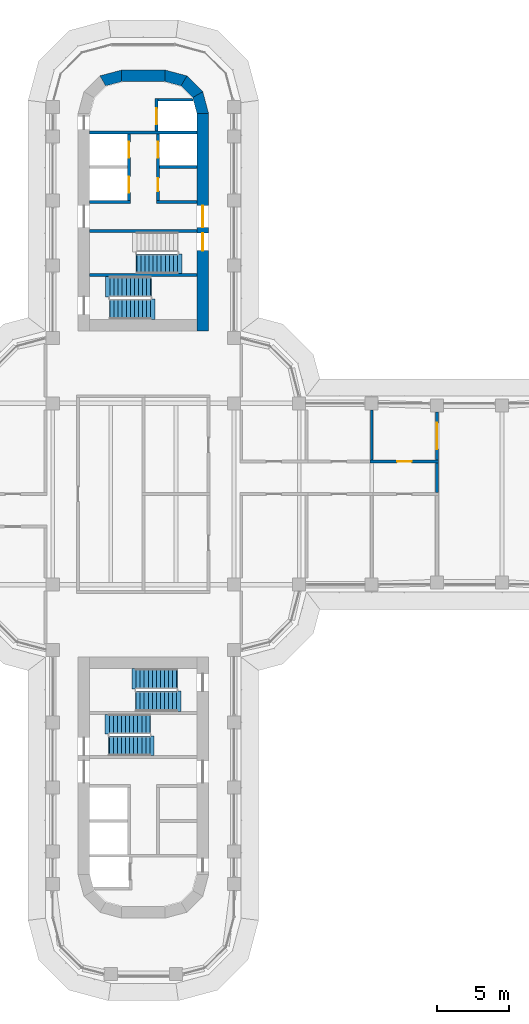
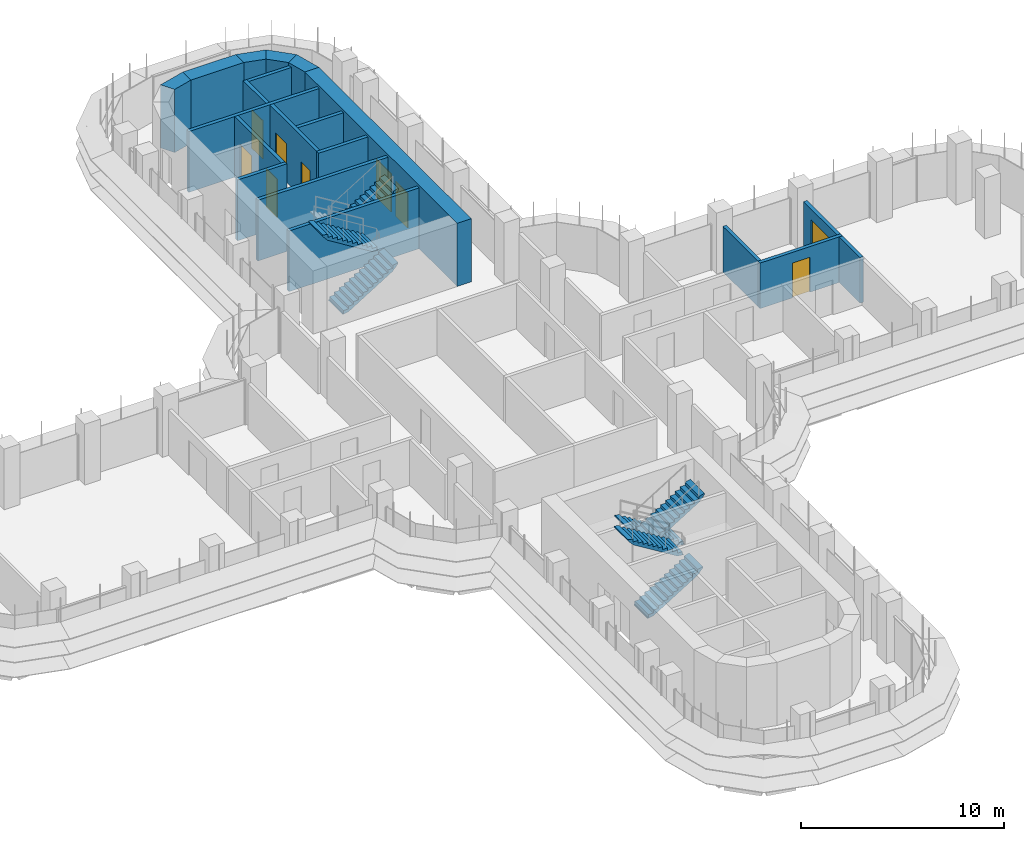
# One storey, part 17 of 22: 20 walls, 9 doors, 7 stair flights, 9 openings, 4 elements without a shape of their own.
"""IFC4 building model written with IfcOpenShell, lengths in metres."""

from ifc_helpers import new_model, si_unit, direction, frame, frame_2d, origin, place, context, subcontext, project, spatial, polyline, rectangle, outline, extrude, material, layer, layer_set, type_object, element, fill, aggregate, save


model = new_model("IFC4")

# Units and contexts
model_context = context("Model", 3, precision=1e-05, world=origin(), true_north=direction((0.0, 1.0)))
body_context = subcontext(model_context, "Body", "Model", "MODEL_VIEW")
ifc_project = project(units=[si_unit("LENGTHUNIT", "METRE"), si_unit("AREAUNIT", "SQUARE_METRE"), si_unit("VOLUMEUNIT", "CUBIC_METRE"), si_unit("PLANEANGLEUNIT", "RADIAN"), si_unit("MASSUNIT", "GRAM", prefix="KILO")], contexts=[model_context])

# Site, building, storey
site_placement = place(None, origin())
site = spatial("IfcSite", under=ifc_project, at=site_placement, CompositionType="ELEMENT")
building_placement = place(site_placement, origin())
building = spatial("IfcBuilding", under=site, at=building_placement, Name="Zarbagh Exchange Tower", CompositionType="ELEMENT")
storey_placement = place(building_placement, frame((0.0, 0.0, 132.199951171875)))
storey = spatial("IfcBuildingStorey", under=building, at=storey_placement, Name="L31", CompositionType="ELEMENT", Elevation=132.199951171875)

# Wall, opening, door
ifc_material_1 = material(Name="Fire-rated plasterboard partition")
ifc_layer_1 = layer(ifc_material_1, 0.199951171875)
ifc_layer_set_1 = layer_set([ifc_layer_1], Name="RATED PARTITION 200")
wall_type_1 = type_object("IfcWallType", Name="RATED PARTITION 200", PredefinedType="PARTITIONING", material=ifc_layer_set_1)
wall_1_placement = place(storey_placement, frame((15.64990234375, 2.25, 0.0), z_axis=(0.0, 0.0, 1.0), x_axis=(1.0, 0.0, 0.0)))
wall_1 = element("IfcWall", 1, at=wall_1_placement, inside=storey, type_object=wall_type_1, Name="Partition W-1322", PredefinedType="PARTITIONING", context=body_context, shape_type="SweptSolid", body=[
    extrude(rectangle(XDim=4.7001953125, YDim=0.199951171875, at=frame_2d((2.35009765625, 0.0))), origin(), (0.0, 0.0, 1.0), 2.738037109375),
])
opening_1_placement = place(wall_1_placement, frame((1.85009765625, 0.0, 0.0)))
opening_1 = element("IfcOpeningElement", 2, at=opening_1_placement, cuts=wall_1, Name="Opening D-1307", PredefinedType="OPENING", context=body_context, shape_type="SweptSolid", body=[
    extrude(rectangle(XDim=1.0, YDim=2.10009765625, at=frame_2d((0.5, 1.050048828125))), frame((0.0, 0.10986328125, 0.0), z_axis=(0.0, -1.0, 0.0), x_axis=(1.0, 0.0, 0.0)), (0.0, 0.0, 1.0), 0.219970703125),
])
ifc_material_2 = material(Name="Steel door set", Category="steel")
door_type_1 = type_object("IfcDoorType", Name="FIRE DOOR 1000 X 2100 FD30S", OperationType="NOTDEFINED", PredefinedType="DOOR", material=ifc_material_2)
door_1_placement = place(opening_1_placement, origin())
door_1 = element("IfcDoor", 3, at=door_1_placement, inside=storey, type_object=door_type_1, Name="Door D-1307", OperationType="SINGLE_SWING_LEFT", OverallHeight=2.10009765625, OverallWidth=1.0, PredefinedType="DOOR", context=body_context, shape_type="SweptSolid", body=[
    extrude(rectangle(XDim=1.0, YDim=2.10009765625, at=frame_2d((0.5, 1.050048828125))), frame((0.0, 0.02490234375, 0.0), z_axis=(0.0, -1.0, 0.0), x_axis=(1.0, 0.0, 0.0)), (0.0, 0.0, 1.0), 0.050048828125),
])
fill(opening_1, door_1)

# Walls
wall_2_placement = place(storey_placement, frame((20.25, 0.10009765625, 0.0), z_axis=(0.0, 0.0, 1.0), x_axis=(0.0, 1.0, 0.0)))
element("IfcWall", 4, at=wall_2_placement, inside=storey, type_object=wall_type_1, Name="Partition W-1325", PredefinedType="PARTITIONING", context=body_context, shape_type="SweptSolid", body=[
    extrude(rectangle(XDim=2.0498046875, YDim=0.199951171875, at=frame_2d((1.02490234375, 0.0))), origin(), (0.0, 0.0, 1.0), 2.738037109375),
])
wall_3_placement = place(storey_placement, frame((15.75, 2.35009765625, 0.0), z_axis=(0.0, 0.0, 1.0), x_axis=(0.0, 1.0, 0.0)))
element("IfcWall", 5, at=wall_3_placement, inside=storey, type_object=wall_type_1, Name="Partition W-1328", PredefinedType="PARTITIONING", context=body_context, shape_type="SweptSolid", body=[
    extrude(rectangle(XDim=3.449951171875, YDim=0.199951171875, at=frame_2d((1.72509765625, 0.0))), origin(), (0.0, 0.0, 1.0), 2.738037109375),
])

# Wall, opening, door
wall_4_placement = place(storey_placement, frame((20.25, 5.659912109375, 0.0), z_axis=(0.0, 0.0, 1.0), x_axis=(0.0, -1.0, 0.0)))
wall_4 = element("IfcWall", 6, at=wall_4_placement, inside=storey, type_object=wall_type_1, Name="Partition W-1329", PredefinedType="PARTITIONING", context=body_context, shape_type="SweptSolid", body=[
    extrude(rectangle(XDim=3.309814453125, YDim=0.199951171875, at=frame_2d((1.65478515625, 0.0))), origin(), (0.0, 0.0, 1.0), 2.738037109375),
])
opening_2_placement = place(wall_4_placement, frame((0.7548828125, 0.0, 0.0)))
opening_2 = element("IfcOpeningElement", 7, at=opening_2_placement, cuts=wall_4, Name="Opening D-1304", PredefinedType="OPENING", context=body_context, shape_type="SweptSolid", body=[
    extrude(rectangle(XDim=1.800048828125, YDim=2.10009765625, at=frame_2d((0.89990234375, 1.050048828125))), frame((0.0, 0.10986328125, 0.0), z_axis=(0.0, -1.0, 0.0), x_axis=(1.0, 0.0, 0.0)), (0.0, 0.0, 1.0), 0.219970703125),
])
door_type_2 = type_object("IfcDoorType", Name="FIRE DOUBLE DOOR 1800 X 2100 FD30S", OperationType="DOUBLE_DOOR_SINGLE_SWING", PredefinedType="DOOR", material=ifc_material_2)
door_2_placement = place(opening_2_placement, origin())
door_2 = element("IfcDoor", 8, at=door_2_placement, inside=storey, type_object=door_type_2, Name="Door D-1304", OperationType="DOUBLE_DOOR_SINGLE_SWING", OverallHeight=2.10009765625, OverallWidth=1.800048828125, PredefinedType="DOOR", context=body_context, shape_type="SweptSolid", body=[
    extrude(rectangle(XDim=1.800048828125, YDim=2.10009765625, at=frame_2d((0.89990234375, 1.050048828125))), frame((0.0, 0.02490234375, 0.0), z_axis=(0.0, -1.0, 0.0), x_axis=(1.0, 0.0, 0.0)), (0.0, 0.0, 1.0), 0.050048828125),
])
fill(opening_2, door_2)

# Walls
ifc_material_3 = material(Name="Concrete C60/75", Category="concrete")
ifc_layer_2 = layer(ifc_material_3, 0.800048828125)
ifc_layer_set_2 = layer_set([ifc_layer_2], Name="RC core corner wall 800 C60/75")
wall_type_2 = type_object("IfcWallType", Name="RC core corner wall 800 C60/75", PredefinedType="SHEAR", material=ifc_layer_set_2)
wall_5_placement = place(storey_placement, origin())
element("IfcWall", 9, at=wall_5_placement, inside=storey, type_object=wall_type_2, Name="CW4 core N corner W", PredefinedType="SHEAR", context=body_context, shape_type="SweptSolid", body=[
    extrude(outline(polyline([(-3.0, 28.84814453125), (-1.5, 29.25), (-1.5, 28.449951171875), (-2.60009765625, 28.1552734375), (-3.0, 28.84814453125)])), origin(), (0.0, 0.0, 1.0), 3.800048828125),
])
wall_6_placement = place(storey_placement, origin())
element("IfcWall", 10, at=wall_6_placement, inside=storey, type_object=wall_type_2, Name="CW4 core N corner E", PredefinedType="SHEAR", context=body_context, shape_type="SweptSolid", body=[
    extrude(outline(polyline([(4.5, 26.25), (4.09814453125, 27.75), (3.4052734375, 27.35009765625), (3.699951171875, 26.25), (4.5, 26.25)])), origin(), (0.0, 0.0, 1.0), 3.800048828125),
])
wall_7_placement = place(storey_placement, origin())
element("IfcWall", 11, at=wall_7_placement, inside=storey, type_object=wall_type_2, Name="CW4 core N corner E", PredefinedType="SHEAR", context=body_context, shape_type="SweptSolid", body=[
    extrude(outline(polyline([(4.09814453125, 27.75), (3.0, 28.84814453125), (2.60009765625, 28.1552734375), (3.4052734375, 27.35009765625), (4.09814453125, 27.75)])), origin(), (0.0, 0.0, 1.0), 3.800048828125),
])
wall_8_placement = place(storey_placement, origin())
element("IfcWall", 12, at=wall_8_placement, inside=storey, type_object=wall_type_2, Name="CW4 core N corner E", PredefinedType="SHEAR", context=body_context, shape_type="SweptSolid", body=[
    extrude(outline(polyline([(3.0, 28.84814453125), (1.5, 29.25), (1.5, 28.449951171875), (2.60009765625, 28.1552734375), (3.0, 28.84814453125)])), origin(), (0.0, 0.0, 1.0), 3.800048828125),
])

# Wall, openings, doors
ifc_layer_3 = layer(ifc_material_3, 0.800048828125)
ifc_layer_set_3 = layer_set([ifc_layer_3], Name="RC core wall 800 C60/75")
wall_type_3 = type_object("IfcWallType", Name="RC core wall 800 C60/75", PredefinedType="SHEAR", material=ifc_layer_set_3)
wall_9_placement = place(storey_placement, frame((4.10009765625, 11.25, 0.0), z_axis=(0.0, 0.0, 1.0), x_axis=(0.0, 1.0, 0.0)))
wall_9 = element("IfcWall", 13, at=wall_9_placement, inside=storey, type_object=wall_type_3, Name="CW3 core N E", PredefinedType="SHEAR", context=body_context, shape_type="SweptSolid", body=[
    extrude(rectangle(XDim=15.0, YDim=0.800048828125, at=frame_2d((7.5, 0.0))), origin(), (0.0, 0.0, 1.0), 3.800048828125),
])
opening_3_placement = place(wall_9_placement, frame((7.14990234375, 0.0, 0.0)))
opening_3 = element("IfcOpeningElement", 14, at=opening_3_placement, cuts=wall_9, Name="Opening CD1-1500", PredefinedType="OPENING", context=body_context, shape_type="SweptSolid", body=[
    extrude(rectangle(XDim=1.5, YDim=2.300048828125, at=frame_2d((0.75, 1.14990234375))), frame((0.0, 0.409912109375, 0.0), z_axis=(0.0, -1.0, 0.0), x_axis=(1.0, 0.0, 0.0)), (0.0, 0.0, 1.0), 0.820068359375),
])
opening_4_placement = place(wall_9_placement, frame((5.550048828125, 0.0, 0.0)))
opening_4 = element("IfcOpeningElement", 15, at=opening_4_placement, cuts=wall_9, Name="Opening SD1-1200", PredefinedType="OPENING", context=body_context, shape_type="SweptSolid", body=[
    extrude(rectangle(XDim=1.199951171875, YDim=2.10009765625, at=frame_2d((0.60009765625, 1.050048828125))), frame((0.0, 0.409912109375, 0.0), z_axis=(0.0, -1.0, 0.0), x_axis=(1.0, 0.0, 0.0)), (0.0, 0.0, 1.0), 0.820068359375),
])
ifc_material_4 = material(Name="Steel", Category="steel")
door_type_3 = type_object("IfcDoorType", Name="Exit stair door 1200 x 2100", OperationType="NOTDEFINED", PredefinedType="DOOR", material=ifc_material_4)
door_3_placement = place(opening_4_placement, origin())
door_3 = element("IfcDoor", 16, at=door_3_placement, inside=storey, type_object=door_type_3, Name="North core stair door ST1", OperationType="SINGLE_SWING_LEFT", OverallHeight=2.10009765625, OverallWidth=1.199951171875, PredefinedType="DOOR", context=body_context, shape_type="SweptSolid", body=[
    extrude(rectangle(XDim=1.199951171875, YDim=2.10009765625, at=frame_2d((0.60009765625, 1.050048828125))), frame((0.0, 0.02490234375, 0.0), z_axis=(0.0, -1.0, 0.0), x_axis=(1.0, 0.0, 0.0)), (0.0, 0.0, 1.0), 0.050048828125),
])
fill(opening_4, door_3)
door_type_4 = type_object("IfcDoorType", Name="Lift lobby double door 1500 x 2300", OperationType="NOTDEFINED", PredefinedType="DOOR", material=ifc_material_4)
door_4_placement = place(opening_3_placement, origin())
door_4 = element("IfcDoor", 17, at=door_4_placement, inside=storey, type_object=door_type_4, Name="North core lift lobby door LOBBY-E", OperationType="DOUBLE_DOOR_SINGLE_SWING", OverallHeight=2.300048828125, OverallWidth=1.5, PredefinedType="DOOR", context=body_context, shape_type="SweptSolid", body=[
    extrude(rectangle(XDim=1.5, YDim=2.300048828125, at=frame_2d((0.75, 1.14990234375))), frame((0.0, 0.02490234375, 0.0), z_axis=(0.0, -1.0, 0.0), x_axis=(1.0, 0.0, 0.0)), (0.0, 0.0, 1.0), 0.050048828125),
])
fill(opening_3, door_4)

# Walls
wall_10_placement = place(storey_placement, frame((-1.5, 28.85009765625, 0.0), z_axis=(0.0, 0.0, 1.0), x_axis=(1.0, 0.0, 0.0)))
element("IfcWall", 18, at=wall_10_placement, inside=storey, type_object=wall_type_3, Name="CW3 core N outer end", PredefinedType="SHEAR", context=body_context, shape_type="SweptSolid", body=[
    extrude(rectangle(XDim=3.0, YDim=0.800048828125, at=frame_2d((1.5, 0.0))), origin(), (0.0, 0.0, 1.0), 3.800048828125),
])
ifc_material_5 = material(Name="Dense blockwork", Category="masonry")
ifc_layer_4 = layer(ifc_material_5, 0.199951171875)
ifc_layer_set_4 = layer_set([ifc_layer_4], Name="Shaft wall 200 mm blockwork")
wall_type_4 = type_object("IfcWallType", Name="Shaft wall 200 mm blockwork", PredefinedType="PARTITIONING", material=ifc_layer_set_4)
wall_11_placement = place(storey_placement, frame((-3.699951171875, 20.14990234375, 0.0), z_axis=(0.0, 0.0, 1.0), x_axis=(1.0, 0.0, 0.0)))
element("IfcWall", 19, at=wall_11_placement, inside=storey, type_object=wall_type_4, Name="North core shaft wall AB-W", PredefinedType="PARTITIONING", context=body_context, shape_type="SweptSolid", body=[
    extrude(rectangle(XDim=2.800048828125, YDim=0.199951171875, at=frame_2d((1.39990234375, 0.0))), origin(), (0.0, 0.0, 1.0), 3.650146484375),
])

# Wall, openings, doors
wall_12_placement = place(storey_placement, frame((-1.0, 24.85009765625, 0.0), z_axis=(0.0, 0.0, 1.0), x_axis=(0.0, -1.0, 0.0)))
wall_12 = element("IfcWall", 20, at=wall_12_placement, inside=storey, type_object=wall_type_4, Name="North core shaft wall LW-W", PredefinedType="PARTITIONING", context=body_context, shape_type="SweptSolid", body=[
    extrude(rectangle(XDim=4.60009765625, YDim=0.199951171875, at=frame_2d((2.300048828125, 0.0))), origin(), (0.0, 0.0, 1.0), 3.650146484375),
])
opening_5_placement = place(wall_12_placement, frame((0.550048828125, 0.0, 0.0)))
opening_5 = element("IfcOpeningElement", 21, at=opening_5_placement, cuts=wall_12, Name="Opening LD-1100", PredefinedType="OPENING", context=body_context, shape_type="SweptSolid", body=[
    extrude(rectangle(XDim=1.10009765625, YDim=2.300048828125, at=frame_2d((0.550048828125, 1.14990234375))), frame((0.0, 0.10986328125, 0.0), z_axis=(0.0, -1.0, 0.0), x_axis=(1.0, 0.0, 0.0)), (0.0, 0.0, 1.0), 0.219970703125),
])
opening_6_placement = place(wall_12_placement, frame((2.949951171875, 0.0, 0.0)))
opening_6 = element("IfcOpeningElement", 22, at=opening_6_placement, cuts=wall_12, Name="Opening LD-1100", PredefinedType="OPENING", context=body_context, shape_type="SweptSolid", body=[
    extrude(rectangle(XDim=1.10009765625, YDim=2.300048828125, at=frame_2d((0.550048828125, 1.14990234375))), frame((0.0, 0.10986328125, 0.0), z_axis=(0.0, -1.0, 0.0), x_axis=(1.0, 0.0, 0.0)), (0.0, 0.0, 1.0), 0.219970703125),
])
ifc_material_6 = material(Name="Stainless steel", Category="steel")
door_type_5 = type_object("IfcDoorType", Name="Lift landing door 1100 x 2300", OperationType="NOTDEFINED", PredefinedType="DOOR", material=ifc_material_6)
door_5_placement = place(opening_5_placement, origin())
door_5 = element("IfcDoor", 23, at=door_5_placement, inside=storey, type_object=door_type_5, Name="North core lift landing door LD-P-N1", OperationType="DOUBLE_DOOR_SLIDING", OverallHeight=2.300048828125, OverallWidth=1.10009765625, PredefinedType="DOOR", context=body_context, shape_type="SweptSolid", body=[
    extrude(rectangle(XDim=1.10009765625, YDim=2.300048828125, at=frame_2d((0.550048828125, 1.14990234375))), frame((0.0, 0.02490234375, 0.0), z_axis=(0.0, -1.0, 0.0), x_axis=(1.0, 0.0, 0.0)), (0.0, 0.0, 1.0), 0.050048828125),
])
fill(opening_5, door_5)
door_6_placement = place(opening_6_placement, origin())
door_6 = element("IfcDoor", 24, at=door_6_placement, inside=storey, type_object=door_type_5, Name="North core lift landing door LD-P-N2", OperationType="DOUBLE_DOOR_SLIDING", OverallHeight=2.300048828125, OverallWidth=1.10009765625, PredefinedType="DOOR", context=body_context, shape_type="SweptSolid", body=[
    extrude(rectangle(XDim=1.10009765625, YDim=2.300048828125, at=frame_2d((0.550048828125, 1.14990234375))), frame((0.0, 0.02490234375, 0.0), z_axis=(0.0, -1.0, 0.0), x_axis=(1.0, 0.0, 0.0)), (0.0, 0.0, 1.0), 0.050048828125),
])
fill(opening_6, door_6)

# Wall
wall_13_placement = place(storey_placement, frame((0.89990234375, 20.14990234375, 0.0), z_axis=(0.0, 0.0, 1.0), x_axis=(1.0, 0.0, 0.0)))
element("IfcWall", 25, at=wall_13_placement, inside=storey, type_object=wall_type_4, Name="North core shaft wall AB-E", PredefinedType="PARTITIONING", context=body_context, shape_type="SweptSolid", body=[
    extrude(rectangle(XDim=2.800048828125, YDim=0.199951171875, at=frame_2d((1.39990234375, 0.0))), origin(), (0.0, 0.0, 1.0), 3.650146484375),
])

# Wall, openings, doors
wall_14_placement = place(storey_placement, frame((1.0, 24.85009765625, 0.0), z_axis=(0.0, 0.0, 1.0), x_axis=(0.0, -1.0, 0.0)))
wall_14 = element("IfcWall", 26, at=wall_14_placement, inside=storey, type_object=wall_type_4, Name="North core shaft wall LW-E", PredefinedType="PARTITIONING", context=body_context, shape_type="SweptSolid", body=[
    extrude(rectangle(XDim=4.60009765625, YDim=0.199951171875, at=frame_2d((2.300048828125, 0.0))), origin(), (0.0, 0.0, 1.0), 3.650146484375),
])
opening_7_placement = place(wall_14_placement, frame((0.550048828125, 0.0, 0.0)))
opening_7 = element("IfcOpeningElement", 27, at=opening_7_placement, cuts=wall_14, Name="Opening LD-1100", PredefinedType="OPENING", context=body_context, shape_type="SweptSolid", body=[
    extrude(rectangle(XDim=1.10009765625, YDim=2.300048828125, at=frame_2d((0.550048828125, 1.14990234375))), frame((0.0, 0.10986328125, 0.0), z_axis=(0.0, -1.0, 0.0), x_axis=(1.0, 0.0, 0.0)), (0.0, 0.0, 1.0), 0.219970703125),
])
opening_8_placement = place(wall_14_placement, frame((3.050048828125, 0.0, 0.0)))
opening_8 = element("IfcOpeningElement", 28, at=opening_8_placement, cuts=wall_14, Name="Opening CD3-900", PredefinedType="OPENING", context=body_context, shape_type="SweptSolid", body=[
    extrude(rectangle(XDim=0.89990234375, YDim=2.10009765625, at=frame_2d((0.449951171875, 1.050048828125))), frame((0.0, 0.10986328125, 0.0), z_axis=(0.0, -1.0, 0.0), x_axis=(1.0, 0.0, 0.0)), (0.0, 0.0, 1.0), 0.219970703125),
])
door_type_6 = type_object("IfcDoorType", Name="Core room door 900 x 2100", OperationType="NOTDEFINED", PredefinedType="DOOR", material=ifc_material_4)
door_7_placement = place(opening_8_placement, origin())
door_7 = element("IfcDoor", 29, at=door_7_placement, inside=storey, type_object=door_type_6, Name="North core Accessible WC door RD-E-0", OperationType="SINGLE_SWING_LEFT", OverallHeight=2.10009765625, OverallWidth=0.89990234375, PredefinedType="DOOR", context=body_context, shape_type="SweptSolid", body=[
    extrude(rectangle(XDim=0.89990234375, YDim=2.10009765625, at=frame_2d((0.449951171875, 1.050048828125))), frame((0.0, 0.02490234375, 0.0), z_axis=(0.0, -1.0, 0.0), x_axis=(1.0, 0.0, 0.0)), (0.0, 0.0, 1.0), 0.050048828125),
])
fill(opening_8, door_7)
door_8_placement = place(opening_7_placement, origin())
door_8 = element("IfcDoor", 30, at=door_8_placement, inside=storey, type_object=door_type_5, Name="North core lift landing door LD-P-N3", OperationType="DOUBLE_DOOR_SLIDING", OverallHeight=2.300048828125, OverallWidth=1.10009765625, PredefinedType="DOOR", context=body_context, shape_type="SweptSolid", body=[
    extrude(rectangle(XDim=1.10009765625, YDim=2.300048828125, at=frame_2d((0.550048828125, 1.14990234375))), frame((0.0, 0.02490234375, 0.0), z_axis=(0.0, -1.0, 0.0), x_axis=(1.0, 0.0, 0.0)), (0.0, 0.0, 1.0), 0.050048828125),
])
fill(opening_7, door_8)

# Walls
wall_15_placement = place(storey_placement, frame((1.10009765625, 22.550048828125, 0.0), z_axis=(0.0, 0.0, 1.0), x_axis=(1.0, 0.0, 0.0)))
element("IfcWall", 31, at=wall_15_placement, inside=storey, type_object=wall_type_4, Name="North core shaft wall TR-E", PredefinedType="PARTITIONING", context=body_context, shape_type="SweptSolid", body=[
    extrude(rectangle(XDim=2.599853515625, YDim=0.199951171875, at=frame_2d((1.2998046875, 0.0))), origin(), (0.0, 0.0, 1.0), 3.650146484375),
])
ifc_material_7 = material(Name="Concrete C40/50", Category="concrete")
ifc_layer_5 = layer(ifc_material_7, 0.199951171875)
ifc_layer_set_5 = layer_set([ifc_layer_5], Name="Stair enclosure wall 200 mm RC C40/50")
wall_type_5 = type_object("IfcWallType", Name="Stair enclosure wall 200 mm RC C40/50", PredefinedType="SHEAR", material=ifc_layer_set_5)
wall_16_placement = place(storey_placement, frame((-3.699951171875, 24.949951171875, 0.0), z_axis=(0.0, 0.0, 1.0), x_axis=(1.0, 0.0, 0.0)))
element("IfcWall", 32, at=wall_16_placement, inside=storey, type_object=wall_type_5, Name="North core lift shaft wall FFA", PredefinedType="SHEAR", context=body_context, shape_type="SweptSolid", body=[
    extrude(rectangle(XDim=7.39990234375, YDim=0.199951171875, at=frame_2d((3.699951171875, 0.0))), origin(), (0.0, 0.0, 1.0), 3.650146484375),
])

# Wall, opening, door
wall_17_placement = place(storey_placement, frame((0.89990234375, 27.300048828125, 0.0), z_axis=(0.0, 0.0, 1.0), x_axis=(0.0, -1.0, 0.0)))
wall_17 = element("IfcWall", 33, at=wall_17_placement, inside=storey, type_object=wall_type_5, Name="North core lift shaft wall FFL", PredefinedType="SHEAR", context=body_context, shape_type="SweptSolid", body=[
    extrude(rectangle(XDim=2.25, YDim=0.199951171875, at=frame_2d((1.125, 0.0))), origin(), (0.0, 0.0, 1.0), 3.650146484375),
])
opening_9_placement = place(wall_17_placement, frame((0.699951171875, 0.0, 0.0)))
opening_9 = element("IfcOpeningElement", 34, at=opening_9_placement, cuts=wall_17, Name="Opening LD-1100", PredefinedType="OPENING", context=body_context, shape_type="SweptSolid", body=[
    extrude(rectangle(XDim=1.10009765625, YDim=2.300048828125, at=frame_2d((0.550048828125, 1.14990234375))), frame((0.0, 0.10986328125, 0.0), z_axis=(0.0, -1.0, 0.0), x_axis=(1.0, 0.0, 0.0)), (0.0, 0.0, 1.0), 0.219970703125),
])
door_9_placement = place(opening_9_placement, origin())
door_9 = element("IfcDoor", 35, at=door_9_placement, inside=storey, type_object=door_type_5, Name="North core lift landing door LD-F", OperationType="DOUBLE_DOOR_SLIDING", OverallHeight=2.300048828125, OverallWidth=1.10009765625, PredefinedType="DOOR", context=body_context, shape_type="SweptSolid", body=[
    extrude(rectangle(XDim=1.10009765625, YDim=2.300048828125, at=frame_2d((0.550048828125, 1.14990234375))), frame((0.0, 0.02490234375, 0.0), z_axis=(0.0, -1.0, 0.0), x_axis=(1.0, 0.0, 0.0)), (0.0, 0.0, 1.0), 0.050048828125),
])
fill(opening_9, door_9)

# Walls
wall_18_placement = place(storey_placement, origin())
element("IfcWall", 36, at=wall_18_placement, inside=storey, type_object=wall_type_5, Name="North core lift shaft wall FFX", PredefinedType="SHEAR", context=body_context, shape_type="SweptSolid", body=[
    extrude(outline(polyline([(1.0, 27.10009765625), (3.444091796875, 27.10009765625), (3.390380859375, 27.300048828125), (1.0, 27.300048828125), (1.0, 27.10009765625)])), origin(), (0.0, 0.0, 1.0), 3.650146484375),
])
for number, where, z_axis, x_axis, name in (
    (37, (-3.699951171875, 18.14990234375, 0.0), (0.0, 0.0, 1.0), (1.0, 0.0, 0.0), "North core stair wall BS"),
    (38, (-3.699951171875, 15.10009765625, 0.0), (0.0, 0.0, 1.0), (1.0, 0.0, 0.0), "North core stair wall ST12"),
):
    element("IfcWall", number, at=place(storey_placement, frame(where, z_axis=z_axis, x_axis=x_axis)), inside=storey, type_object=wall_type_5, Name=name, PredefinedType="SHEAR", context=body_context, shape_type="SweptSolid", body=[
        extrude(rectangle(XDim=7.39990234375, YDim=0.199951171875, at=frame_2d((3.699951171875, 0.0))), origin(), (0.0, 0.0, 1.0), 3.650146484375),
    ])

# Stair, stair flight
stair_type = type_object("IfcStairType", Name="Exit stair two-flight half-turn", PredefinedType="HALF_TURN_STAIR", material=ifc_material_7)
stair_1_placement = place(storey_placement, origin())
stair_1 = element("IfcStair", 39, at=stair_1_placement, inside=storey, type_object=stair_type, Name="exit stair ST1", PredefinedType="HALF_TURN_STAIR")
stair_flight_type_1 = type_object("IfcStairFlightType", Name="Stair flight 1350 mm", PredefinedType="STRAIGHT", material=ifc_material_7)
stair_flight_1_placement = place(storey_placement, frame((-0.449951171875, 15.875, 1.900146484375), z_axis=(0.0, 0.0, 1.0), x_axis=(1.0, 0.0, 0.0)))
stair_flight_1 = element("IfcStairFlight", 40, at=stair_flight_1_placement, type_object=stair_flight_type_1, Name="ST1 flight 2", NumberOfRisers=11, NumberOfTreads=10, PredefinedType="STRAIGHT", RiserHeight=0.172727273, TreadLength=0.28, context=body_context, shape_type="SweptSolid", body=[
    extrude(outline(polyline([(-0.050048828125, -0.050048828125), (-0.050048828125, 0.0), (0.0, 0.0), (0.0, 0.172607421875), (0.280029296875, 0.172607421875), (0.280029296875, 0.345458984375), (0.56005859375, 0.345458984375), (0.56005859375, 0.51806640625), (0.840087890625, 0.51806640625), (0.840087890625, 0.69091796875), (1.1201171875, 0.69091796875), (1.1201171875, 0.863525390625), (1.39990234375, 0.863525390625), (1.39990234375, 1.036376953125), (1.679931640625, 1.036376953125), (1.679931640625, 1.208984375), (1.9599609375, 1.208984375), (1.9599609375, 1.3818359375), (2.239990234375, 1.3818359375), (2.239990234375, 1.554443359375), (2.52001953125, 1.554443359375), (2.52001953125, 1.727294921875), (2.800048828125, 1.727294921875), (2.800048828125, 1.89990234375), (3.10009765625, 1.97998046875), (3.10009765625, 1.89990234375), (2.800048828125, 1.551025390625), (0.285400390625, 0.0), (-0.050048828125, -0.050048828125)])), frame((0.0, 0.675048828125, 0.0), z_axis=(0.0, -1.0, 0.0), x_axis=(1.0, 0.0, 0.0)), (0.0, 0.0, 1.0), 1.35009765625),
])
aggregate(stair_1, [stair_flight_1])

# Stair, stair flights
stair_2_placement = place(storey_placement, origin())
stair_2 = element("IfcStair", 41, at=stair_2_placement, inside=storey, type_object=stair_type, Name="exit stair ST3", PredefinedType="HALF_TURN_STAIR")
stair_flight_2_placement = place(storey_placement, frame((-2.35009765625, -17.375, 0.0), z_axis=(0.0, 0.0, 1.0), x_axis=(1.0, 0.0, 0.0)))
stair_flight_2 = element("IfcStairFlight", 42, at=stair_flight_2_placement, type_object=stair_flight_type_1, Name="ST3 flight 1", NumberOfRisers=11, NumberOfTreads=10, PredefinedType="STRAIGHT", RiserHeight=0.172727273, TreadLength=0.28, context=body_context, shape_type="SweptSolid", body=[
    extrude(outline(polyline([(-0.050048828125, -0.050048828125), (-0.050048828125, 0.0), (0.0, 0.0), (0.0, 0.172607421875), (0.280029296875, 0.172607421875), (0.280029296875, 0.345458984375), (0.56005859375, 0.345458984375), (0.56005859375, 0.51806640625), (0.840087890625, 0.51806640625), (0.840087890625, 0.69091796875), (1.1201171875, 0.69091796875), (1.1201171875, 0.863525390625), (1.39990234375, 0.863525390625), (1.39990234375, 1.036376953125), (1.679931640625, 1.036376953125), (1.679931640625, 1.208984375), (1.9599609375, 1.208984375), (1.9599609375, 1.3818359375), (2.239990234375, 1.3818359375), (2.239990234375, 1.554443359375), (2.52001953125, 1.554443359375), (2.52001953125, 1.727294921875), (2.800048828125, 1.727294921875), (2.800048828125, 1.89990234375), (3.10009765625, 1.97998046875), (3.10009765625, 1.89990234375), (2.800048828125, 1.551025390625), (0.285400390625, 0.0), (-0.050048828125, -0.050048828125)])), frame((0.0, 0.675048828125, 0.0), z_axis=(0.0, -1.0, 0.0), x_axis=(1.0, 0.0, 0.0)), (0.0, 0.0, 1.0), 1.35009765625),
])
stair_flight_3_placement = place(storey_placement, frame((0.449951171875, -15.875, 1.900146484375), z_axis=(0.0, 0.0, 1.0), x_axis=(-1.0, 0.0, 0.0)))
stair_flight_3 = element("IfcStairFlight", 43, at=stair_flight_3_placement, type_object=stair_flight_type_1, Name="ST3 flight 2", NumberOfRisers=11, NumberOfTreads=10, PredefinedType="STRAIGHT", RiserHeight=0.172727273, TreadLength=0.28, context=body_context, shape_type="SweptSolid", body=[
    extrude(outline(polyline([(-0.050048828125, -0.050048828125), (-0.050048828125, 0.0), (0.0, 0.0), (0.0, 0.172607421875), (0.280029296875, 0.172607421875), (0.280029296875, 0.345458984375), (0.56005859375, 0.345458984375), (0.56005859375, 0.51806640625), (0.840087890625, 0.51806640625), (0.840087890625, 0.69091796875), (1.1201171875, 0.69091796875), (1.1201171875, 0.863525390625), (1.39990234375, 0.863525390625), (1.39990234375, 1.036376953125), (1.679931640625, 1.036376953125), (1.679931640625, 1.208984375), (1.9599609375, 1.208984375), (1.9599609375, 1.3818359375), (2.239990234375, 1.3818359375), (2.239990234375, 1.554443359375), (2.52001953125, 1.554443359375), (2.52001953125, 1.727294921875), (2.800048828125, 1.727294921875), (2.800048828125, 1.89990234375), (3.10009765625, 1.97998046875), (3.10009765625, 1.89990234375), (2.800048828125, 1.551025390625), (0.285400390625, 0.0), (-0.050048828125, -0.050048828125)])), frame((0.0, 0.675048828125, 0.0), z_axis=(0.0, -1.0, 0.0), x_axis=(1.0, 0.0, 0.0)), (0.0, 0.0, 1.0), 1.35009765625),
])
aggregate(stair_2, [stair_flight_2, stair_flight_3])

stair_3_placement = place(storey_placement, origin())
stair_3 = element("IfcStair", 44, at=stair_3_placement, inside=storey, type_object=stair_type, Name="exit stair ST2", PredefinedType="HALF_TURN_STAIR")
stair_flight_type_2 = type_object("IfcStairFlightType", Name="Stair flight 1400 mm", PredefinedType="STRAIGHT", material=ifc_material_7)
stair_flight_4_placement = place(storey_placement, frame((-2.300048828125, 12.75, 0.0), z_axis=(0.0, 0.0, 1.0), x_axis=(1.0, 0.0, 0.0)))
stair_flight_4 = element("IfcStairFlight", 45, at=stair_flight_4_placement, type_object=stair_flight_type_2, Name="ST2 flight 1", NumberOfRisers=11, NumberOfTreads=10, PredefinedType="STRAIGHT", RiserHeight=0.172727273, TreadLength=0.28, context=body_context, shape_type="SweptSolid", body=[
    extrude(outline(polyline([(-0.050048828125, -0.050048828125), (-0.050048828125, 0.0), (0.0, 0.0), (0.0, 0.172607421875), (0.280029296875, 0.172607421875), (0.280029296875, 0.345458984375), (0.56005859375, 0.345458984375), (0.56005859375, 0.51806640625), (0.840087890625, 0.51806640625), (0.840087890625, 0.69091796875), (1.1201171875, 0.69091796875), (1.1201171875, 0.863525390625), (1.39990234375, 0.863525390625), (1.39990234375, 1.036376953125), (1.679931640625, 1.036376953125), (1.679931640625, 1.208984375), (1.9599609375, 1.208984375), (1.9599609375, 1.3818359375), (2.239990234375, 1.3818359375), (2.239990234375, 1.554443359375), (2.52001953125, 1.554443359375), (2.52001953125, 1.727294921875), (2.800048828125, 1.727294921875), (2.800048828125, 1.89990234375), (3.10009765625, 1.97998046875), (3.10009765625, 1.89990234375), (2.800048828125, 1.551025390625), (0.285400390625, 0.0), (-0.050048828125, -0.050048828125)])), frame((0.0, 0.699951171875, 0.0), z_axis=(0.0, -1.0, 0.0), x_axis=(1.0, 0.0, 0.0)), (0.0, 0.0, 1.0), 1.39990234375),
])
stair_flight_5_placement = place(storey_placement, frame((0.5, 14.300048828125, 1.900146484375), z_axis=(0.0, 0.0, 1.0), x_axis=(-1.0, 0.0, 0.0)))
stair_flight_5 = element("IfcStairFlight", 46, at=stair_flight_5_placement, type_object=stair_flight_type_2, Name="ST2 flight 2", NumberOfRisers=11, NumberOfTreads=10, PredefinedType="STRAIGHT", RiserHeight=0.172727273, TreadLength=0.28, context=body_context, shape_type="SweptSolid", body=[
    extrude(outline(polyline([(-0.050048828125, -0.050048828125), (-0.050048828125, 0.0), (0.0, 0.0), (0.0, 0.172607421875), (0.280029296875, 0.172607421875), (0.280029296875, 0.345458984375), (0.56005859375, 0.345458984375), (0.56005859375, 0.51806640625), (0.840087890625, 0.51806640625), (0.840087890625, 0.69091796875), (1.1201171875, 0.69091796875), (1.1201171875, 0.863525390625), (1.39990234375, 0.863525390625), (1.39990234375, 1.036376953125), (1.679931640625, 1.036376953125), (1.679931640625, 1.208984375), (1.9599609375, 1.208984375), (1.9599609375, 1.3818359375), (2.239990234375, 1.3818359375), (2.239990234375, 1.554443359375), (2.52001953125, 1.554443359375), (2.52001953125, 1.727294921875), (2.800048828125, 1.727294921875), (2.800048828125, 1.89990234375), (3.10009765625, 1.97998046875), (3.10009765625, 1.89990234375), (2.800048828125, 1.551025390625), (0.285400390625, 0.0), (-0.050048828125, -0.050048828125)])), frame((0.0, 0.699951171875, 0.0), z_axis=(0.0, -1.0, 0.0), x_axis=(1.0, 0.0, 0.0)), (0.0, 0.0, 1.0), 1.39990234375),
])
aggregate(stair_3, [stair_flight_4, stair_flight_5])

stair_4_placement = place(storey_placement, origin())
stair_4 = element("IfcStair", 47, at=stair_4_placement, inside=storey, type_object=stair_type, Name="exit stair ST4", PredefinedType="HALF_TURN_STAIR")
stair_flight_6_placement = place(storey_placement, frame((2.300048828125, -12.75, 0.0), z_axis=(0.0, 0.0, 1.0), x_axis=(-1.0, 0.0, 0.0)))
stair_flight_6 = element("IfcStairFlight", 48, at=stair_flight_6_placement, type_object=stair_flight_type_2, Name="ST4 flight 1", NumberOfRisers=11, NumberOfTreads=10, PredefinedType="STRAIGHT", RiserHeight=0.172727273, TreadLength=0.28, context=body_context, shape_type="SweptSolid", body=[
    extrude(outline(polyline([(-0.050048828125, -0.050048828125), (-0.050048828125, 0.0), (0.0, 0.0), (0.0, 0.172607421875), (0.280029296875, 0.172607421875), (0.280029296875, 0.345458984375), (0.56005859375, 0.345458984375), (0.56005859375, 0.51806640625), (0.840087890625, 0.51806640625), (0.840087890625, 0.69091796875), (1.1201171875, 0.69091796875), (1.1201171875, 0.863525390625), (1.39990234375, 0.863525390625), (1.39990234375, 1.036376953125), (1.679931640625, 1.036376953125), (1.679931640625, 1.208984375), (1.9599609375, 1.208984375), (1.9599609375, 1.3818359375), (2.239990234375, 1.3818359375), (2.239990234375, 1.554443359375), (2.52001953125, 1.554443359375), (2.52001953125, 1.727294921875), (2.800048828125, 1.727294921875), (2.800048828125, 1.89990234375), (3.10009765625, 1.97998046875), (3.10009765625, 1.89990234375), (2.800048828125, 1.551025390625), (0.285400390625, 0.0), (-0.050048828125, -0.050048828125)])), frame((0.0, 0.699951171875, 0.0), z_axis=(0.0, -1.0, 0.0), x_axis=(1.0, 0.0, 0.0)), (0.0, 0.0, 1.0), 1.39990234375),
])
stair_flight_7_placement = place(storey_placement, frame((-0.5, -14.300048828125, 1.900146484375), z_axis=(0.0, 0.0, 1.0), x_axis=(1.0, 0.0, 0.0)))
stair_flight_7 = element("IfcStairFlight", 49, at=stair_flight_7_placement, type_object=stair_flight_type_2, Name="ST4 flight 2", NumberOfRisers=11, NumberOfTreads=10, PredefinedType="STRAIGHT", RiserHeight=0.172727273, TreadLength=0.28, context=body_context, shape_type="SweptSolid", body=[
    extrude(outline(polyline([(-0.050048828125, -0.050048828125), (-0.050048828125, 0.0), (0.0, 0.0), (0.0, 0.172607421875), (0.280029296875, 0.172607421875), (0.280029296875, 0.345458984375), (0.56005859375, 0.345458984375), (0.56005859375, 0.51806640625), (0.840087890625, 0.51806640625), (0.840087890625, 0.69091796875), (1.1201171875, 0.69091796875), (1.1201171875, 0.863525390625), (1.39990234375, 0.863525390625), (1.39990234375, 1.036376953125), (1.679931640625, 1.036376953125), (1.679931640625, 1.208984375), (1.9599609375, 1.208984375), (1.9599609375, 1.3818359375), (2.239990234375, 1.3818359375), (2.239990234375, 1.554443359375), (2.52001953125, 1.554443359375), (2.52001953125, 1.727294921875), (2.800048828125, 1.727294921875), (2.800048828125, 1.89990234375), (3.10009765625, 1.97998046875), (3.10009765625, 1.89990234375), (2.800048828125, 1.551025390625), (0.285400390625, 0.0), (-0.050048828125, -0.050048828125)])), frame((0.0, 0.699951171875, 0.0), z_axis=(0.0, -1.0, 0.0), x_axis=(1.0, 0.0, 0.0)), (0.0, 0.0, 1.0), 1.39990234375),
])
aggregate(stair_4, [stair_flight_6, stair_flight_7])

save(model, "model.ifc")
